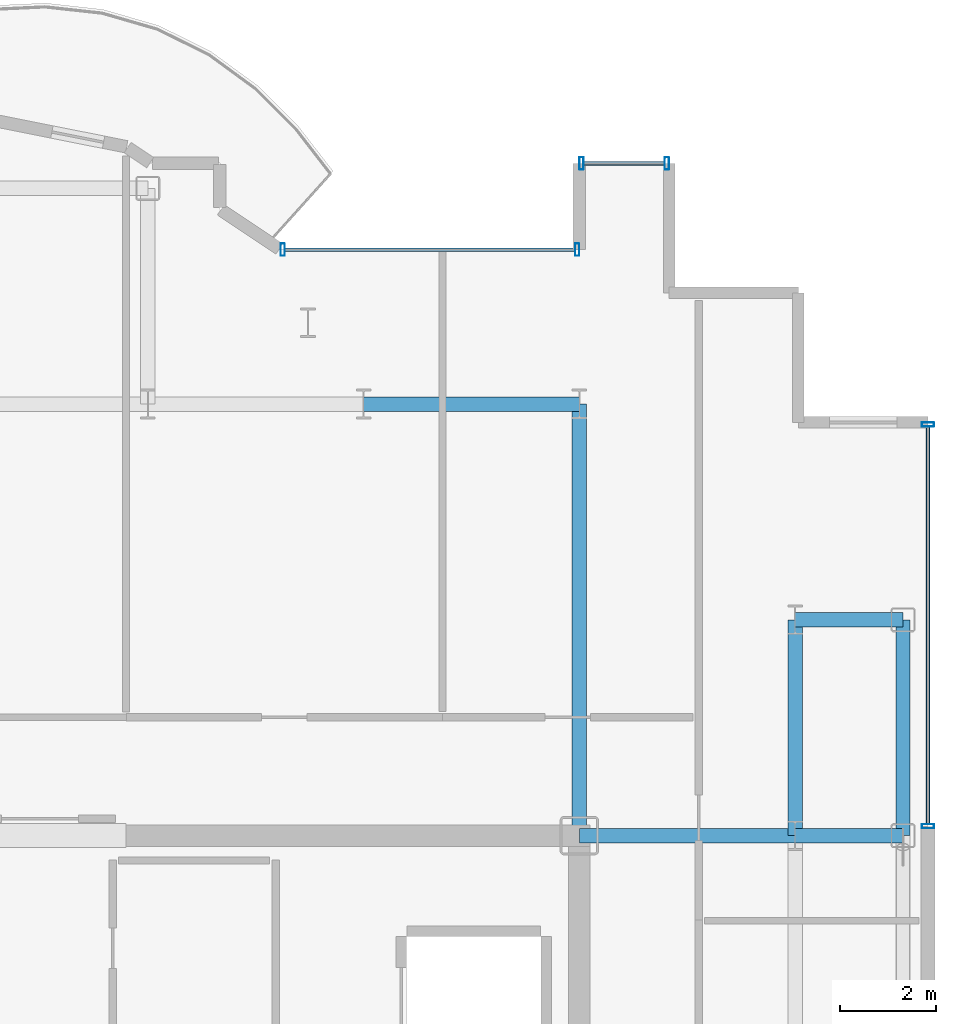
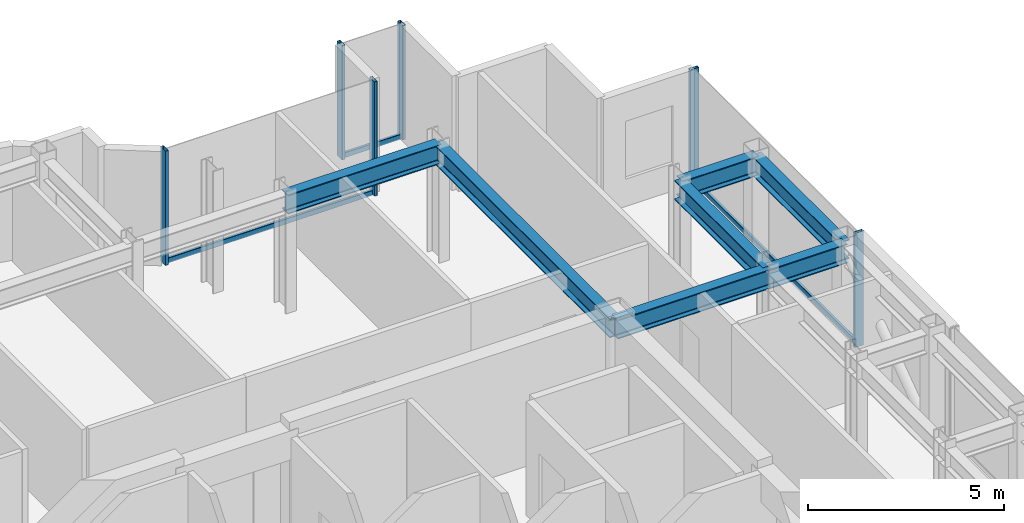
# One storey, part 9 of 18: 9 members, 7 beams, 3 elements without a shape of their own.
"""IFC4 building model written with IfcOpenShell, lengths in metres."""

from ifc_helpers import new_model, si_unit, direction, frame, origin, origin_2d, place, context, subcontext, project, spatial, hollow_rectangle, i_section, extrude, source, transform, mapped, material, layer, layer_set, material_profile, profile_set, type_object, element, aggregate, save


model = new_model("IFC4")

# Units and contexts
model_context = context("Model", 3, precision=1e-05, world=origin(), true_north=direction((0.0, 1.0)))
body_context = subcontext(model_context, "Body", "Model", "MODEL_VIEW")
ifc_project = project(units=[si_unit("LENGTHUNIT", "METRE"), si_unit("AREAUNIT", "SQUARE_METRE"), si_unit("VOLUMEUNIT", "CUBIC_METRE"), si_unit("PLANEANGLEUNIT", "RADIAN"), si_unit("MASSUNIT", "GRAM", prefix="KILO")], contexts=[model_context])

# Site, building, storey
site_placement = place(None, origin())
site = spatial("IfcSite", under=ifc_project, at=site_placement, CompositionType="ELEMENT")
building_placement = place(site_placement, origin())
building = spatial("IfcBuilding", under=site, at=building_placement, Name="Nefas-Gora Pilgrimage Tower", CompositionType="ELEMENT")
storey_placement = place(building_placement, frame((0.0, 0.0, 298.800048828125)))
storey = spatial("IfcBuildingStorey", under=building, at=storey_placement, Name="L75", CompositionType="ELEMENT", Elevation=298.800048828125)

# Beams
ifc_material_1 = material(Name="Steel S355", Category="steel")
ifc_material_profile_1 = material_profile(ifc_material_1, i_section(OverallWidth=0.300048828125, OverallDepth=0.60009765625, WebThickness=0.015380859375, FlangeThickness=0.030029296875, FilletRadius=0.027099609375, at=origin_2d()), Name="HEB 600")
ifc_profile_set_1 = profile_set([ifc_material_profile_1], Name="Steel S355")
beam_type_1 = type_object("IfcBeamType", Name="BM-SPN-HEB450", PredefinedType="SPANDREL", material=ifc_profile_set_1)
shared_shape_1 = source(origin(), body_context, "Body", "SweptSolid", [
    extrude(i_section(OverallWidth=0.300048828125, OverallDepth=0.60009765625, WebThickness=0.015380859375, FlangeThickness=0.030029296875, FilletRadius=0.027099609375, at=origin_2d()), origin(), (0.0, 0.0, 1.0), 4.5),
])
beam_1_placement = place(storey_placement, frame((18.0, 9.0, 3.25), z_axis=(0.0, 1.0, 0.0), x_axis=(-1.0, 0.0, 0.0)))
element("IfcBeam", 1, at=beam_1_placement, inside=storey, type_object=beam_type_1, Name="L75 SP-03 beam", PredefinedType="SPANDREL", context=body_context, shape_type="MappedRepresentation", body=[
    mapped(shared_shape_1, transform((0.0, 0.0, 0.0), x_axis=(1.0, 0.0, 0.0), y_axis=(0.0, 1.0, 0.0), z_axis=(0.0, 0.0, 1.0), scale=1.0)),
])
ifc_material_profile_2 = material_profile(ifc_material_1, i_section(OverallWidth=0.300048828125, OverallDepth=0.60009765625, WebThickness=0.015380859375, FlangeThickness=0.030029296875, FilletRadius=0.027099609375, at=origin_2d()), Name="HEB 600")
ifc_profile_set_2 = profile_set([ifc_material_profile_2], Name="Steel S355")
beam_type_2 = type_object("IfcBeamType", Name="BM-GIR-HEB600", PredefinedType="BEAM", material=ifc_profile_set_2)
shared_shape_2 = source(origin(), body_context, "Body", "SweptSolid", [
    extrude(i_section(OverallWidth=0.300048828125, OverallDepth=0.60009765625, WebThickness=0.015380859375, FlangeThickness=0.030029296875, FilletRadius=0.027099609375, at=origin_2d()), origin(), (0.0, 0.0, 1.0), 9.0),
])
beam_2_placement = place(storey_placement, frame((11.25, 9.0, 3.25), z_axis=(0.0, 1.0, 0.0), x_axis=(-1.0, 0.0, 0.0)))
element("IfcBeam", 2, at=beam_2_placement, inside=storey, type_object=beam_type_2, Name="L75 G-04 beam", PredefinedType="BEAM", context=body_context, shape_type="MappedRepresentation", body=[
    mapped(shared_shape_2, transform((0.0, 0.0, 0.0), x_axis=(1.0, 0.0, 0.0), y_axis=(0.0, 1.0, 0.0), z_axis=(0.0, 0.0, 1.0), scale=1.0)),
])
shared_shape_3 = source(origin(), body_context, "Body", "SweptSolid", [
    extrude(i_section(OverallWidth=0.300048828125, OverallDepth=0.60009765625, WebThickness=0.015380859375, FlangeThickness=0.030029296875, FilletRadius=0.027099609375, at=origin_2d()), origin(), (0.0, 0.0, 1.0), 4.5),
])
for number, where, z_axis, x_axis, name in (
    (3, (6.75, 18.0, 3.25), (1.0, 0.0, 0.0), (0.0, 1.0, 0.0), "L75 G-04 beam"),
    (4, (11.25, 9.0, 3.25), (1.0, 0.0, 0.0), (0.0, 1.0, 0.0), "L75 G-04 beam"),
    (5, (15.75, 9.0, 3.25), (0.0, 1.0, 0.0), (-1.0, 0.0, 0.0), "L75 G-04 beam"),
):
    element("IfcBeam", number, at=place(storey_placement, frame(where, z_axis=z_axis, x_axis=x_axis)), inside=storey, type_object=beam_type_2, Name=name, PredefinedType="BEAM", context=body_context, shape_type="MappedRepresentation", body=[
        mapped(shared_shape_3, transform((0.0, 0.0, 0.0), x_axis=(1.0, 0.0, 0.0), y_axis=(0.0, 1.0, 0.0), z_axis=(0.0, 0.0, 1.0), scale=1.0)),
    ])
shared_shape_4 = source(origin(), body_context, "Body", "SweptSolid", [
    extrude(i_section(OverallWidth=0.300048828125, OverallDepth=0.60009765625, WebThickness=0.015380859375, FlangeThickness=0.030029296875, FilletRadius=0.027099609375, at=origin_2d()), origin(), (0.0, 0.0, 1.0), 2.25),
])
for number, where, z_axis, x_axis, name in (
    (6, (15.75, 9.0, 3.25), (1.0, 0.0, 0.0), (0.0, 1.0, 0.0), "L75 G-04 beam"),
    (7, (15.75, 13.5, 3.25), (1.0, 0.0, 0.0), (0.0, 1.0, 0.0), "L75 G-04 beam"),
):
    element("IfcBeam", number, at=place(storey_placement, frame(where, z_axis=z_axis, x_axis=x_axis)), inside=storey, type_object=beam_type_2, Name=name, PredefinedType="BEAM", context=body_context, shape_type="MappedRepresentation", body=[
        mapped(shared_shape_4, transform((0.0, 0.0, 0.0), x_axis=(1.0, 0.0, 0.0), y_axis=(0.0, 1.0, 0.0), z_axis=(0.0, 0.0, 1.0), scale=1.0)),
    ])

# Curtain wall, members
ifc_material_2 = material(Name="Dark ceramic-fritted solar-control aluminium-glass curtain wall", Category="aluminium")
ifc_layer_1 = layer(ifc_material_2, 0.219970703125)
ifc_layer_set_1 = layer_set([ifc_layer_1], Name="Dark ceramic-fritted solar-control aluminium-glass curtain wall")
curtain_wall_type_1 = type_object("IfcCurtainWallType", Name="CW-SYS-5", PredefinedType="NOTDEFINED", material=ifc_layer_set_1)
curtain_wall_1_placement = place(storey_placement, origin())
curtain_wall_1 = element("IfcCurtainWall", 8, at=curtain_wall_1_placement, inside=storey, type_object=curtain_wall_type_1, Name="L75 Unitised Curtain Wall CW5", PredefinedType="NOTDEFINED")
ifc_material_3 = material(Name="Anodised architectural aluminium", Category="aluminium")
ifc_material_profile_3 = material_profile(ifc_material_3, hollow_rectangle(XDim=0.090087890625, YDim=0.260009765625, WallThickness=0.006103515625, InnerFilletRadius=0.006103515625, OuterFilletRadius=0.011962890625, at=origin_2d()), Name="ALU MULLION 90x260")
ifc_profile_set_3 = profile_set([ifc_material_profile_3], Name="Anodised architectural aluminium")
member_type_1 = type_object("IfcMemberType", Name="CWM-MUL-5", PredefinedType="MULLION", material=ifc_profile_set_3)
shared_shape_5 = source(origin(), body_context, "Body", "SweptSolid", [
    extrude(hollow_rectangle(XDim=0.090087890625, YDim=0.260009765625, WallThickness=0.006103515625, InnerFilletRadius=0.006103515625, OuterFilletRadius=0.011962890625, at=origin_2d()), origin(), (0.0, 0.0, 1.0), 3.550048828125),
])
member_1_placement = place(storey_placement, frame((11.205078125, 21.219970703125, 0.0), z_axis=(0.0, 0.0, 1.0), x_axis=(-1.0, 0.0, 0.0)))
member_1 = element("IfcMember", 9, at=member_1_placement, type_object=member_type_1, Name="CW5 Mullion 1", PredefinedType="MULLION", context=body_context, shape_type="MappedRepresentation", body=[
    mapped(shared_shape_5, transform((0.0, 0.0, 0.0), x_axis=(1.0, 0.0, 0.0), y_axis=(0.0, 1.0, 0.0), z_axis=(0.0, 0.0, 1.0), scale=1.0)),
])
member_2_placement = place(storey_placement, frame((5.06298828125, 21.219970703125, 0.0), z_axis=(0.0, 0.0, 1.0), x_axis=(-1.0, 0.0, 0.0)))
member_2 = element("IfcMember", 10, at=member_2_placement, type_object=member_type_1, Name="CW5 Mullion 2", PredefinedType="MULLION", context=body_context, shape_type="MappedRepresentation", body=[
    mapped(shared_shape_5, transform((0.0, 0.0, 0.0), x_axis=(1.0, 0.0, 0.0), y_axis=(0.0, 1.0, 0.0), z_axis=(0.0, 0.0, 1.0), scale=1.0)),
])
ifc_material_profile_4 = material_profile(ifc_material_3, hollow_rectangle(XDim=0.080078125, YDim=0.159912109375, WallThickness=0.00439453125, InnerFilletRadius=0.00439453125, OuterFilletRadius=0.009033203125, at=origin_2d()), Name="ALU TRANSOM 80x160")
ifc_profile_set_4 = profile_set([ifc_material_profile_4], Name="Anodised architectural aluminium")
member_type_2 = type_object("IfcMemberType", Name="CWM-TRN-5", PredefinedType="USERDEFINED", material=ifc_profile_set_4)
shared_shape_6 = source(origin(), body_context, "Body", "SweptSolid", [
    extrude(hollow_rectangle(XDim=0.080078125, YDim=0.159912109375, WallThickness=0.00439453125, InnerFilletRadius=0.00439453125, OuterFilletRadius=0.009033203125, at=origin_2d()), origin(), (0.0, 0.0, 1.0), 6.052001953125),
])
member_3_placement = place(storey_placement, frame((11.159912109375, 21.219970703125, 0.050048828125), z_axis=(-1.0, 0.0, 0.0), x_axis=(0.0, -1.0, 0.0)))
member_3 = element("IfcMember", 11, at=member_3_placement, type_object=member_type_2, Name="CW5 Spandrel Transom", ObjectType="TRANSOM", PredefinedType="USERDEFINED", context=body_context, shape_type="MappedRepresentation", body=[
    mapped(shared_shape_6, transform((0.0, 0.0, 0.0), x_axis=(1.0, 0.0, 0.0), y_axis=(0.0, 1.0, 0.0), z_axis=(0.0, 0.0, 1.0), scale=1.0)),
])
aggregate(curtain_wall_1, [member_1, member_2, member_3])

# Curtain wall, member
ifc_layer_2 = layer(ifc_material_2, 0.219970703125)
ifc_layer_set_2 = layer_set([ifc_layer_2], Name="Dark ceramic-fritted solar-control aluminium-glass curtain wall")
curtain_wall_type_2 = type_object("IfcCurtainWallType", Name="CW-SYS-4", PredefinedType="NOTDEFINED", material=ifc_layer_set_2)
curtain_wall_2_placement = place(storey_placement, origin())
curtain_wall_2 = element("IfcCurtainWall", 12, at=curtain_wall_2_placement, inside=storey, type_object=curtain_wall_type_2, Name="L75 Unitised Curtain Wall CW4", PredefinedType="NOTDEFINED")
ifc_material_profile_5 = material_profile(ifc_material_3, hollow_rectangle(XDim=0.080078125, YDim=0.159912109375, WallThickness=0.00439453125, InnerFilletRadius=0.00439453125, OuterFilletRadius=0.009033203125, at=origin_2d()), Name="ALU TRANSOM 80x160")
ifc_profile_set_5 = profile_set([ifc_material_profile_5], Name="Anodised architectural aluminium")
member_type_3 = type_object("IfcMemberType", Name="CWM-TRN-4", PredefinedType="USERDEFINED", material=ifc_profile_set_5)
shared_shape_7 = source(origin(), body_context, "Body", "SweptSolid", [
    extrude(hollow_rectangle(XDim=0.080078125, YDim=0.159912109375, WallThickness=0.00439453125, InnerFilletRadius=0.00439453125, OuterFilletRadius=0.009033203125, at=origin_2d()), origin(), (0.0, 0.0, 1.0), 8.2900390625),
])
member_4_placement = place(storey_placement, frame((18.52001953125, 9.239990234375, 0.050048828125), z_axis=(0.0, 1.0, 0.0), x_axis=(-1.0, 0.0, 0.0)))
member_4 = element("IfcMember", 13, at=member_4_placement, type_object=member_type_3, Name="CW4 Spandrel Transom", ObjectType="TRANSOM", PredefinedType="USERDEFINED", context=body_context, shape_type="MappedRepresentation", body=[
    mapped(shared_shape_7, transform((0.0, 0.0, 0.0), x_axis=(1.0, 0.0, 0.0), y_axis=(0.0, 1.0, 0.0), z_axis=(0.0, 0.0, 1.0), scale=1.0)),
])

curtain_wall_3_placement = place(storey_placement, origin())
curtain_wall_3 = element("IfcCurtainWall", 14, at=curtain_wall_3_placement, inside=storey, type_object=curtain_wall_type_2, Name="L75 Unitised Curtain Wall CW4", PredefinedType="NOTDEFINED")
shared_shape_8 = source(origin(), body_context, "Body", "SweptSolid", [
    extrude(hollow_rectangle(XDim=0.080078125, YDim=0.159912109375, WallThickness=0.00439453125, InnerFilletRadius=0.00439453125, OuterFilletRadius=0.009033203125, at=origin_2d()), origin(), (0.0, 0.0, 1.0), 1.68994140625),
])
member_5_placement = place(storey_placement, frame((13.030029296875, 23.02001953125, 0.050048828125), z_axis=(-1.0, 0.0, 0.0), x_axis=(0.0, -1.0, 0.0)))
member_5 = element("IfcMember", 15, at=member_5_placement, type_object=member_type_3, Name="CW4 Spandrel Transom", ObjectType="TRANSOM", PredefinedType="USERDEFINED", context=body_context, shape_type="MappedRepresentation", body=[
    mapped(shared_shape_8, transform((0.0, 0.0, 0.0), x_axis=(1.0, 0.0, 0.0), y_axis=(0.0, 1.0, 0.0), z_axis=(0.0, 0.0, 1.0), scale=1.0)),
])

# Member
ifc_material_profile_6 = material_profile(ifc_material_3, hollow_rectangle(XDim=0.090087890625, YDim=0.260009765625, WallThickness=0.006103515625, InnerFilletRadius=0.006103515625, OuterFilletRadius=0.011962890625, at=origin_2d()), Name="ALU MULLION 90x260")
ifc_profile_set_6 = profile_set([ifc_material_profile_6], Name="Anodised architectural aluminium")
member_type_4 = type_object("IfcMemberType", Name="CWM-MUL-4", PredefinedType="MULLION", material=ifc_profile_set_6)
shared_shape_9 = source(origin(), body_context, "Body", "SweptSolid", [
    extrude(hollow_rectangle(XDim=0.090087890625, YDim=0.260009765625, WallThickness=0.006103515625, InnerFilletRadius=0.006103515625, OuterFilletRadius=0.011962890625, at=origin_2d()), origin(), (0.0, 0.0, 1.0), 3.550048828125),
])
member_6_placement = place(storey_placement, frame((18.52001953125, 9.195068359375, 0.0), z_axis=(0.0, 0.0, 1.0), x_axis=(0.0, 1.0, 0.0)))
member_6 = element("IfcMember", 16, at=member_6_placement, type_object=member_type_4, Name="CW4 Mullion 1", PredefinedType="MULLION", context=body_context, shape_type="MappedRepresentation", body=[
    mapped(shared_shape_9, transform((0.0, 0.0, 0.0), x_axis=(1.0, 0.0, 0.0), y_axis=(0.0, 1.0, 0.0), z_axis=(0.0, 0.0, 1.0), scale=1.0)),
])

member_7_placement = place(storey_placement, frame((18.52001953125, 17.574951171875, 0.0), z_axis=(0.0, 0.0, 1.0), x_axis=(0.0, 1.0, 0.0)))
member_7 = element("IfcMember", 17, at=member_7_placement, type_object=member_type_4, Name="CW4 Mullion 2", PredefinedType="MULLION", context=body_context, shape_type="MappedRepresentation", body=[
    mapped(shared_shape_9, transform((0.0, 0.0, 0.0), x_axis=(1.0, 0.0, 0.0), y_axis=(0.0, 1.0, 0.0), z_axis=(0.0, 0.0, 1.0), scale=1.0)),
])

aggregate(curtain_wall_2, [member_6, member_7, member_4])

member_8_placement = place(storey_placement, frame((13.074951171875, 23.02001953125, 0.0), z_axis=(0.0, 0.0, 1.0), x_axis=(-1.0, 0.0, 0.0)))
member_8 = element("IfcMember", 18, at=member_8_placement, type_object=member_type_4, Name="CW4 Mullion 1", PredefinedType="MULLION", context=body_context, shape_type="MappedRepresentation", body=[
    mapped(shared_shape_9, transform((0.0, 0.0, 0.0), x_axis=(1.0, 0.0, 0.0), y_axis=(0.0, 1.0, 0.0), z_axis=(0.0, 0.0, 1.0), scale=1.0)),
])

member_9_placement = place(storey_placement, frame((11.294921875, 23.02001953125, 0.0), z_axis=(0.0, 0.0, 1.0), x_axis=(-1.0, 0.0, 0.0)))
member_9 = element("IfcMember", 19, at=member_9_placement, type_object=member_type_4, Name="CW4 Mullion 2", PredefinedType="MULLION", context=body_context, shape_type="MappedRepresentation", body=[
    mapped(shared_shape_9, transform((0.0, 0.0, 0.0), x_axis=(1.0, 0.0, 0.0), y_axis=(0.0, 1.0, 0.0), z_axis=(0.0, 0.0, 1.0), scale=1.0)),
])

aggregate(curtain_wall_3, [member_8, member_9, member_5])

save(model, "model.ifc")
